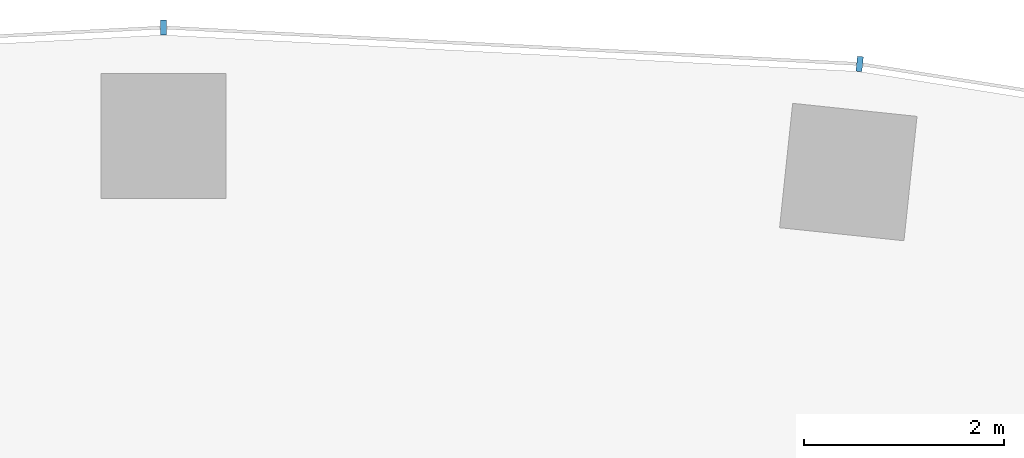
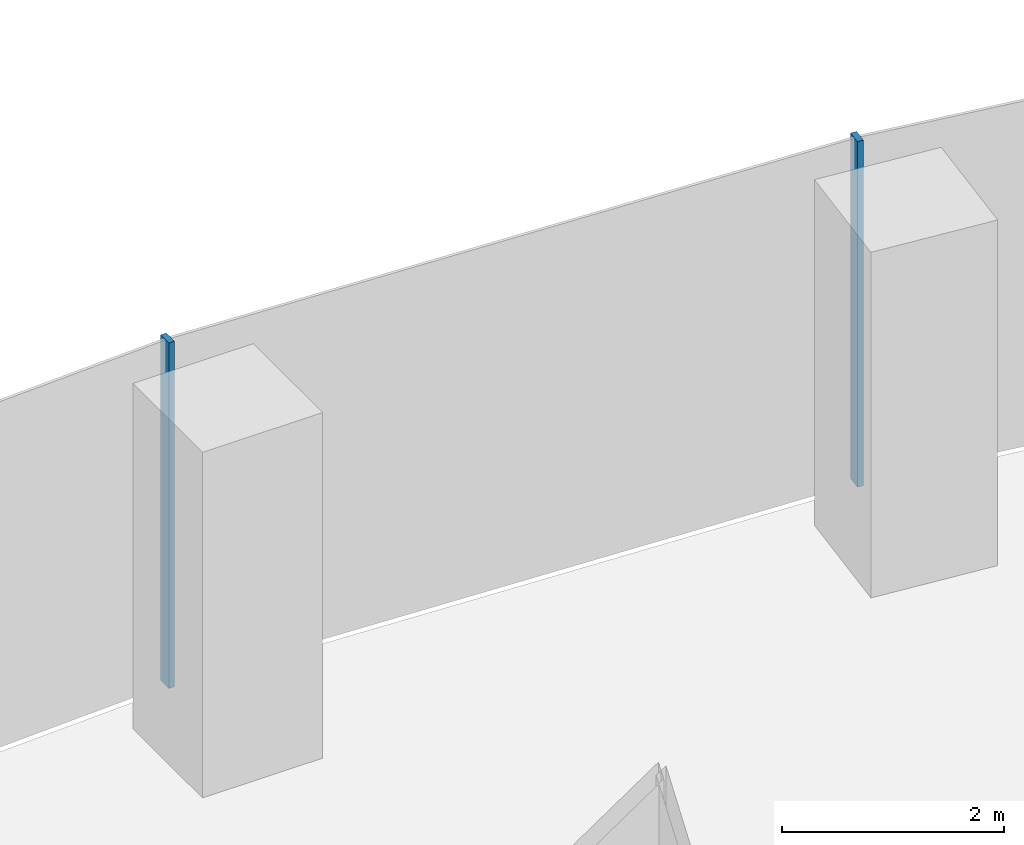
# One storey, part 7 of 21: 2 members, 1 element without a shape of its own.
"""IFC4 building model written with IfcOpenShell, lengths in metres."""

from ifc_helpers import new_model, si_unit, direction, frame, origin, origin_2d, place, context, subcontext, project, spatial, rectangle, extrude, material, layer, layer_set, material_profile, profile_set, type_object, element, aggregate, save


model = new_model("IFC4")

# Units and contexts
model_context = context("Model", 3, precision=1e-05, world=origin(), true_north=direction((0.0, 1.0)))
body_context = subcontext(model_context, "Body", "Model", "MODEL_VIEW")
ifc_project = project(units=[si_unit("LENGTHUNIT", "METRE"), si_unit("AREAUNIT", "SQUARE_METRE"), si_unit("VOLUMEUNIT", "CUBIC_METRE"), si_unit("PLANEANGLEUNIT", "RADIAN"), si_unit("MASSUNIT", "GRAM", prefix="KILO")], contexts=[model_context])

# Site, building, storey
site_placement = place(None, origin())
site = spatial("IfcSite", under=ifc_project, at=site_placement, CompositionType="ELEMENT")
building_placement = place(site_placement, origin())
building = spatial("IfcBuilding", under=site, at=building_placement, Name="Stone Belt Terrace Tower", CompositionType="ELEMENT")
storey_placement = place(building_placement, frame((0.0, 0.0, 37.60009765625)))
storey = spatial("IfcBuildingStorey", under=building, at=storey_placement, Name="L08", CompositionType="ELEMENT", Elevation=37.60009765625)

# Curtain wall, members
ifc_material = material(Name="Aluminium 6063-T6 anodised frame", Category="aluminium")
ifc_layer = layer(ifc_material, 0.14990234375)
ifc_layer_set = layer_set([ifc_layer], Name="CW-A unitised convex-face curtain wall")
curtain_wall_type = type_object("IfcCurtainWallType", Name="CW-A unitised convex-face curtain wall", PredefinedType="NOTDEFINED", material=ifc_layer_set)
curtain_wall_placement = place(storey_placement, origin())
curtain_wall = element("IfcCurtainWall", 1, at=curtain_wall_placement, inside=storey, type_object=curtain_wall_type, Name="CW-A convex face L08", PredefinedType="NOTDEFINED")
ifc_material_profile = material_profile(ifc_material, rectangle(XDim=0.14990234375, YDim=0.06005859375, at=origin_2d()), Name="Aluminium 6063-T6 60x150")
ifc_profile_set = profile_set([ifc_material_profile], Name="Aluminium 6063-T6 anodised frame")
member_type = type_object("IfcMemberType", Name="CW-A mullion 60 x 150", PredefinedType="MULLION", material=ifc_profile_set)
member_1_placement = place(storey_placement, frame((6.958984375, 66.21044921875, 0.0), z_axis=(0.0, 0.0, 1.0), x_axis=(-0.104528463268, -0.994521895368, 0.0)))
member_1 = element("IfcMember", 2, at=member_1_placement, type_object=member_type, Name="CW-A mullion 9", PredefinedType="MULLION", context=body_context, shape_type="SweptSolid", body=[
    extrude(rectangle(XDim=0.14990234375, YDim=0.06005859375, at=origin_2d()), origin(), (0.0, 0.0, 1.0), 3.7998046875),
])
member_2_placement = place(storey_placement, frame((0.0, 66.5751953125, 0.0), z_axis=(0.0, 0.0, 1.0), x_axis=(0.0, -1.0, 0.0)))
member_2 = element("IfcMember", 3, at=member_2_placement, type_object=member_type, Name="CW-A mullion 10", PredefinedType="MULLION", context=body_context, shape_type="SweptSolid", body=[
    extrude(rectangle(XDim=0.14990234375, YDim=0.06005859375, at=origin_2d()), origin(), (0.0, 0.0, 1.0), 3.7998046875),
])
aggregate(curtain_wall, [member_1, member_2])

save(model, "model.ifc")
